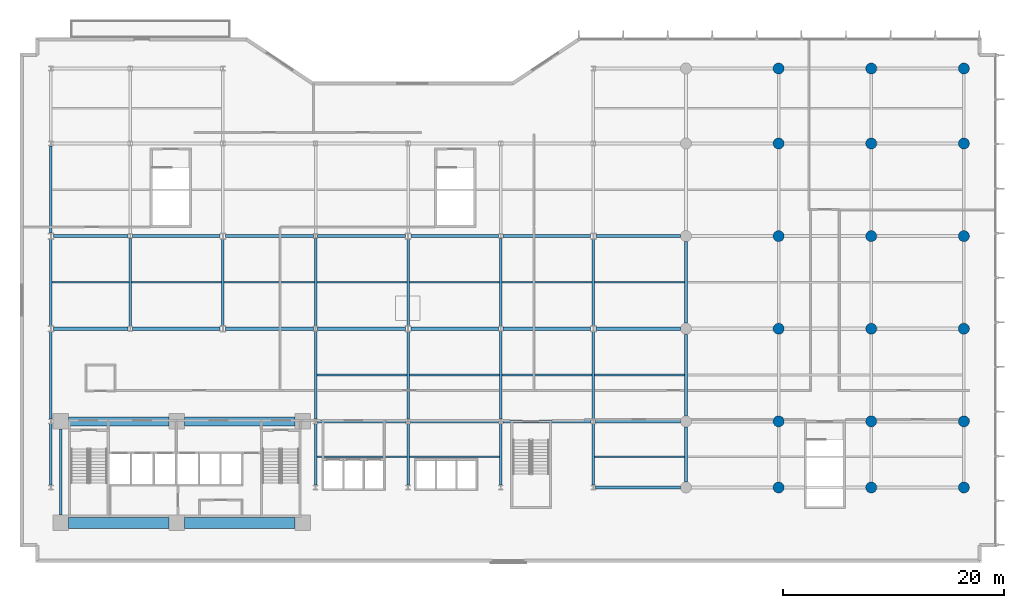
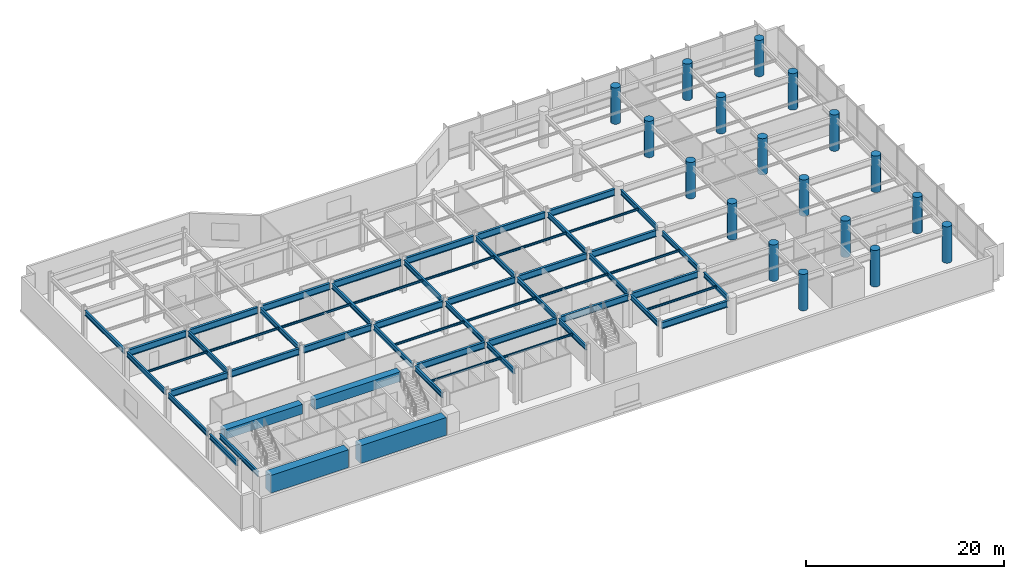
# One storey, part 3 of 23: 59 beams, 18 columns.
"""IFC4 building model written with IfcOpenShell, lengths in metres."""

from ifc_helpers import new_model, si_unit, direction, frame, origin, origin_2d, place, context, subcontext, project, spatial, rectangle, circle, i_section, extrude, material, material_profile, profile_set, type_object, element, save


model = new_model("IFC4")

# Units and contexts
model_context = context("Model", 3, precision=1e-05, world=origin(), true_north=direction((0.0, 1.0)))
body_context = subcontext(model_context, "Body", "Model", "MODEL_VIEW")
ifc_project = project(units=[si_unit("LENGTHUNIT", "METRE"), si_unit("AREAUNIT", "SQUARE_METRE"), si_unit("VOLUMEUNIT", "CUBIC_METRE"), si_unit("PLANEANGLEUNIT", "RADIAN"), si_unit("MASSUNIT", "GRAM", prefix="KILO")], contexts=[model_context])

# Site, building, storey
site_placement = place(None, origin())
site = spatial("IfcSite", under=ifc_project, at=site_placement, CompositionType="ELEMENT")
building_placement = place(site_placement, origin())
building = spatial("IfcBuilding", under=site, at=building_placement, Name="Varnakote Quay Hospital", CompositionType="ELEMENT")
storey_placement = place(building_placement, frame((0.0, 0.0, 18.0)))
storey = spatial("IfcBuildingStorey", under=building, at=storey_placement, Name="L04", CompositionType="ELEMENT", Elevation=18.0)

# Columns
ifc_material_1 = material(Name="Concrete N65 (f'c 65 MPa)", Category="concrete")
ifc_material_profile_1 = material_profile(ifc_material_1, circle(Radius=0.5, at=origin_2d()), Name="RC-COL-D1000")
ifc_profile_set_1 = profile_set([ifc_material_profile_1], Name="Concrete N65 (f'c 65 MPa)")
column_type = type_object("IfcColumnType", Name="COL-RC-D1000", PredefinedType="COLUMN", material=ifc_profile_set_1)
for number, where, z_axis, x_axis, name in (
    (1, (67.199951171875, 6.0, 0.0), (0.0, 0.0, 1.0), (1.0, 0.0, 0.0), "L04 Structural Column C-67-6"),
    (2, (75.60009765625, 6.0, 0.0), (0.0, 0.0, 1.0), (1.0, 0.0, 0.0), "L04 Structural Column C-76-6"),
    (3, (84.0, 6.0, 0.0), (0.0, 0.0, 1.0), (1.0, 0.0, 0.0), "L04 Structural Column C-84-6"),
    (4, (67.199951171875, 12.0, 0.0), (0.0, 0.0, 1.0), (1.0, 0.0, 0.0), "L04 Structural Column C-67-12"),
    (5, (75.60009765625, 12.0, 0.0), (0.0, 0.0, 1.0), (1.0, 0.0, 0.0), "L04 Structural Column C-76-12"),
    (6, (84.0, 12.0, 0.0), (0.0, 0.0, 1.0), (1.0, 0.0, 0.0), "L04 Structural Column C-84-12"),
    (7, (67.199951171875, 20.39990234375, 0.0), (0.0, 0.0, 1.0), (1.0, 0.0, 0.0), "L04 Structural Column C-67-20"),
    (8, (75.60009765625, 20.39990234375, 0.0), (0.0, 0.0, 1.0), (1.0, 0.0, 0.0), "L04 Structural Column C-76-20"),
    (9, (84.0, 20.39990234375, 0.0), (0.0, 0.0, 1.0), (1.0, 0.0, 0.0), "L04 Structural Column C-84-20"),
    (10, (67.199951171875, 28.800048828125, 0.0), (0.0, 0.0, 1.0), (1.0, 0.0, 0.0), "L04 Structural Column C-67-29"),
    (11, (75.60009765625, 28.800048828125, 0.0), (0.0, 0.0, 1.0), (1.0, 0.0, 0.0), "L04 Structural Column C-76-29"),
    (12, (84.0, 28.800048828125, 0.0), (0.0, 0.0, 1.0), (1.0, 0.0, 0.0), "L04 Structural Column C-84-29"),
    (13, (67.199951171875, 37.199951171875, 0.0), (0.0, 0.0, 1.0), (1.0, 0.0, 0.0), "L04 Structural Column C-67-37"),
    (14, (75.60009765625, 37.199951171875, 0.0), (0.0, 0.0, 1.0), (1.0, 0.0, 0.0), "L04 Structural Column C-76-37"),
    (15, (84.0, 37.199951171875, 0.0), (0.0, 0.0, 1.0), (1.0, 0.0, 0.0), "L04 Structural Column C-84-37"),
    (16, (67.199951171875, 44.0, 0.0), (0.0, 0.0, 1.0), (1.0, 0.0, 0.0), "L04 Structural Column C-67-44"),
    (17, (75.60009765625, 44.0, 0.0), (0.0, 0.0, 1.0), (1.0, 0.0, 0.0), "L04 Structural Column C-76-44"),
    (18, (84.0, 44.0, 0.0), (0.0, 0.0, 1.0), (1.0, 0.0, 0.0), "L04 Structural Column C-84-44"),
):
    element("IfcColumn", number, at=place(storey_placement, frame(where, z_axis=z_axis, x_axis=x_axis)), inside=storey, type_object=column_type, Name=name, PredefinedType="COLUMN", context=body_context, shape_type="SweptSolid", body=[
        extrude(circle(Radius=0.5, at=origin_2d()), origin(), (0.0, 0.0, 1.0), 4.5),
    ])

# Beams
ifc_material_2 = material(Name="Concrete N80 (f'c 80 MPa)", Category="concrete")
ifc_material_profile_2 = material_profile(ifc_material_2, rectangle(XDim=0.800048828125, YDim=1.199951171875, at=origin_2d()), Name="RC-BM-800x1200")
ifc_profile_set_2 = profile_set([ifc_material_profile_2], Name="Concrete N80 (f'c 80 MPa)")
beam_type_1 = type_object("IfcBeamType", Name="BM-RC-800x1200", PredefinedType="BEAM", material=ifc_profile_set_2)
beam_1_placement = place(storey_placement, frame((2.800048828125, 12.0, 3.47998046875), z_axis=(1.0, 0.0, 0.0), x_axis=(0.0, 1.0, 0.0)))
element("IfcBeam", 19, at=beam_1_placement, inside=storey, type_object=beam_type_1, Name="Core Coupling Transfer Girder CTG", PredefinedType="BEAM", context=body_context, shape_type="SweptSolid", body=[
    extrude(rectangle(XDim=0.800048828125, YDim=1.199951171875, at=origin_2d()), origin(), (0.0, 0.0, 1.0), 9.119873046875),
])
beam_2_placement = place(storey_placement, frame((13.320068359375, 12.0, 3.47998046875), z_axis=(1.0, 0.0, 0.0), x_axis=(0.0, 1.0, 0.0)))
element("IfcBeam", 20, at=beam_2_placement, inside=storey, type_object=beam_type_1, Name="Core Coupling Transfer Girder CTG", PredefinedType="BEAM", context=body_context, shape_type="SweptSolid", body=[
    extrude(rectangle(XDim=0.800048828125, YDim=1.199951171875, at=origin_2d()), origin(), (0.0, 0.0, 1.0), 10.030029296875),
])
ifc_material_3 = material(Name="Concrete N65 (f'c 65 MPa)", Category="concrete")
ifc_material_profile_3 = material_profile(ifc_material_3, rectangle(XDim=1.0, YDim=2.199951171875, at=origin_2d()), Name="RC-BM-1000x2200")
ifc_profile_set_3 = profile_set([ifc_material_profile_3], Name="Concrete N65 (f'c 65 MPa)")
beam_type_2 = type_object("IfcBeamType", Name="BM-RC-XFER-1000x2200", PredefinedType="BEAM", material=ifc_profile_set_3)
beam_3_placement = place(storey_placement, frame((2.800048828125, 2.800048828125, 2.97998046875), z_axis=(1.0, 0.0, 0.0), x_axis=(0.0, 1.0, 0.0)))
element("IfcBeam", 21, at=beam_3_placement, inside=storey, type_object=beam_type_2, Name="Core Coupling Transfer Girder CTG2", PredefinedType="BEAM", context=body_context, shape_type="SweptSolid", body=[
    extrude(rectangle(XDim=1.0, YDim=2.199951171875, at=origin_2d()), origin(), (0.0, 0.0, 1.0), 9.119873046875),
])
beam_4_placement = place(storey_placement, frame((13.320068359375, 2.800048828125, 2.97998046875), z_axis=(1.0, 0.0, 0.0), x_axis=(0.0, 1.0, 0.0)))
element("IfcBeam", 22, at=beam_4_placement, inside=storey, type_object=beam_type_2, Name="Core Coupling Transfer Girder CTG2", PredefinedType="BEAM", context=body_context, shape_type="SweptSolid", body=[
    extrude(rectangle(XDim=1.0, YDim=2.199951171875, at=origin_2d()), origin(), (0.0, 0.0, 1.0), 10.030029296875),
])
ifc_material_4 = material(Name="Structural steel AS/NZS 3679.1 Grade 350 L0 (fy 340 MPa)", Category="steel")
ifc_material_profile_4 = material_profile(ifc_material_4, i_section(OverallWidth=0.22802734375, OverallDepth=0.60205078125, WebThickness=0.010498046875, FlangeThickness=0.014892578125, FilletRadius=0.013916015625, at=origin_2d()), Name="610UB101")
ifc_profile_set_4 = profile_set([ifc_material_profile_4], Name="Structural steel AS/NZS 3679.1 Grade 350 L0 (fy 340 MPa)")
beam_type_3 = type_object("IfcBeamType", Name="BM-STL-610UB101", PredefinedType="BEAM", material=ifc_profile_set_4)
beam_5_placement = place(storey_placement, frame((1.199951171875, 6.2099609375, 3.779052734375), z_axis=(0.0, 1.0, 0.0), x_axis=(-1.0, 0.0, 0.0)))
element("IfcBeam", 23, at=beam_5_placement, inside=storey, type_object=beam_type_3, Name="L04 Primary Tie Beam", PredefinedType="BEAM", context=body_context, shape_type="SweptSolid", body=[
    extrude(i_section(OverallWidth=0.22802734375, OverallDepth=0.60205078125, WebThickness=0.010498046875, FlangeThickness=0.014892578125, FilletRadius=0.013916015625, at=origin_2d()), origin(), (0.0, 0.0, 1.0), 5.580078125),
])
beam_6_placement = place(storey_placement, frame((1.199951171875, 12.2099609375, 3.779052734375), z_axis=(0.0, 1.0, 0.0), x_axis=(-1.0, 0.0, 0.0)))
element("IfcBeam", 24, at=beam_6_placement, inside=storey, type_object=beam_type_3, Name="L04 Primary Tie Beam", PredefinedType="BEAM", context=body_context, shape_type="SweptSolid", body=[
    extrude(i_section(OverallWidth=0.22802734375, OverallDepth=0.60205078125, WebThickness=0.010498046875, FlangeThickness=0.014892578125, FilletRadius=0.013916015625, at=origin_2d()), origin(), (0.0, 0.0, 1.0), 7.925048828125),
])
beam_7_placement = place(storey_placement, frame((1.199951171875, 20.6650390625, 3.779052734375), z_axis=(0.0, 1.0, 0.0), x_axis=(-1.0, 0.0, 0.0)))
element("IfcBeam", 25, at=beam_7_placement, inside=storey, type_object=beam_type_3, Name="L04 Primary Tie Beam", PredefinedType="BEAM", context=body_context, shape_type="SweptSolid", body=[
    extrude(i_section(OverallWidth=0.22802734375, OverallDepth=0.60205078125, WebThickness=0.010498046875, FlangeThickness=0.014892578125, FilletRadius=0.013916015625, at=origin_2d()), origin(), (0.0, 0.0, 1.0), 7.869873046875),
])
beam_8_placement = place(storey_placement, frame((1.199951171875, 29.06494140625, 3.779052734375), z_axis=(0.0, 1.0, 0.0), x_axis=(-1.0, 0.0, 0.0)))
element("IfcBeam", 26, at=beam_8_placement, inside=storey, type_object=beam_type_3, Name="L04 Primary Tie Beam", PredefinedType="BEAM", context=body_context, shape_type="SweptSolid", body=[
    extrude(i_section(OverallWidth=0.22802734375, OverallDepth=0.60205078125, WebThickness=0.010498046875, FlangeThickness=0.014892578125, FilletRadius=0.013916015625, at=origin_2d()), origin(), (0.0, 0.0, 1.0), 7.925048828125),
])
beam_9_placement = place(storey_placement, frame((2.10009765625, 3.5, 3.779052734375), z_axis=(0.0, 1.0, 0.0), x_axis=(-1.0, 0.0, 0.0)))
element("IfcBeam", 27, at=beam_9_placement, inside=storey, type_object=beam_type_3, Name="L04 Primary Tie Beam", PredefinedType="BEAM", context=body_context, shape_type="SweptSolid", body=[
    extrude(i_section(OverallWidth=0.22802734375, OverallDepth=0.60205078125, WebThickness=0.010498046875, FlangeThickness=0.014892578125, FilletRadius=0.013916015625, at=origin_2d()), origin(), (0.0, 0.0, 1.0), 7.800048828125),
])
beam_10_placement = place(storey_placement, frame((8.39990234375, 20.610107421875, 3.779052734375), z_axis=(0.0, 1.0, 0.0), x_axis=(-1.0, 0.0, 0.0)))
element("IfcBeam", 28, at=beam_10_placement, inside=storey, type_object=beam_type_3, Name="L04 Primary Tie Beam", PredefinedType="BEAM", context=body_context, shape_type="SweptSolid", body=[
    extrude(i_section(OverallWidth=0.22802734375, OverallDepth=0.60205078125, WebThickness=0.010498046875, FlangeThickness=0.014892578125, FilletRadius=0.013916015625, at=origin_2d()), origin(), (0.0, 0.0, 1.0), 7.97998046875),
])
beam_11_placement = place(storey_placement, frame((16.800048828125, 20.6650390625, 3.779052734375), z_axis=(0.0, 1.0, 0.0), x_axis=(-1.0, 0.0, 0.0)))
element("IfcBeam", 29, at=beam_11_placement, inside=storey, type_object=beam_type_3, Name="L04 Primary Tie Beam", PredefinedType="BEAM", context=body_context, shape_type="SweptSolid", body=[
    extrude(i_section(OverallWidth=0.22802734375, OverallDepth=0.60205078125, WebThickness=0.010498046875, FlangeThickness=0.014892578125, FilletRadius=0.013916015625, at=origin_2d()), origin(), (0.0, 0.0, 1.0), 7.869873046875),
])
beam_12_placement = place(storey_placement, frame((25.199951171875, 6.2099609375, 3.779052734375), z_axis=(0.0, 1.0, 0.0), x_axis=(-1.0, 0.0, 0.0)))
element("IfcBeam", 30, at=beam_12_placement, inside=storey, type_object=beam_type_3, Name="L04 Primary Tie Beam", PredefinedType="BEAM", context=body_context, shape_type="SweptSolid", body=[
    extrude(i_section(OverallWidth=0.22802734375, OverallDepth=0.60205078125, WebThickness=0.010498046875, FlangeThickness=0.014892578125, FilletRadius=0.013916015625, at=origin_2d()), origin(), (0.0, 0.0, 1.0), 5.580078125),
])
for number, where, z_axis, x_axis, name in (
    (31, (25.199951171875, 12.2099609375, 3.779052734375), (0.0, 1.0, 0.0), (-1.0, 0.0, 0.0), "L04 Primary Tie Beam"),
    (32, (25.199951171875, 20.610107421875, 3.779052734375), (0.0, 1.0, 0.0), (-1.0, 0.0, 0.0), "L04 Primary Tie Beam"),
):
    element("IfcBeam", number, at=place(storey_placement, frame(where, z_axis=z_axis, x_axis=x_axis)), inside=storey, type_object=beam_type_3, Name=name, PredefinedType="BEAM", context=body_context, shape_type="SweptSolid", body=[
        extrude(i_section(OverallWidth=0.22802734375, OverallDepth=0.60205078125, WebThickness=0.010498046875, FlangeThickness=0.014892578125, FilletRadius=0.013916015625, at=origin_2d()), origin(), (0.0, 0.0, 1.0), 7.97998046875),
    ])
beam_13_placement = place(storey_placement, frame((33.60009765625, 6.2099609375, 3.779052734375), z_axis=(0.0, 1.0, 0.0), x_axis=(-1.0, 0.0, 0.0)))
element("IfcBeam", 33, at=beam_13_placement, inside=storey, type_object=beam_type_3, Name="L04 Primary Tie Beam", PredefinedType="BEAM", context=body_context, shape_type="SweptSolid", body=[
    extrude(i_section(OverallWidth=0.22802734375, OverallDepth=0.60205078125, WebThickness=0.010498046875, FlangeThickness=0.014892578125, FilletRadius=0.013916015625, at=origin_2d()), origin(), (0.0, 0.0, 1.0), 5.580078125),
])
beam_14_placement = place(storey_placement, frame((33.60009765625, 12.2099609375, 3.779052734375), z_axis=(0.0, 1.0, 0.0), x_axis=(-1.0, 0.0, 0.0)))
element("IfcBeam", 34, at=beam_14_placement, inside=storey, type_object=beam_type_3, Name="L04 Primary Tie Beam", PredefinedType="BEAM", context=body_context, shape_type="SweptSolid", body=[
    extrude(i_section(OverallWidth=0.22802734375, OverallDepth=0.60205078125, WebThickness=0.010498046875, FlangeThickness=0.014892578125, FilletRadius=0.013916015625, at=origin_2d()), origin(), (0.0, 0.0, 1.0), 7.925048828125),
])
beam_15_placement = place(storey_placement, frame((33.60009765625, 20.6650390625, 3.779052734375), z_axis=(0.0, 1.0, 0.0), x_axis=(-1.0, 0.0, 0.0)))
element("IfcBeam", 35, at=beam_15_placement, inside=storey, type_object=beam_type_3, Name="L04 Primary Tie Beam", PredefinedType="BEAM", context=body_context, shape_type="SweptSolid", body=[
    extrude(i_section(OverallWidth=0.22802734375, OverallDepth=0.60205078125, WebThickness=0.010498046875, FlangeThickness=0.014892578125, FilletRadius=0.013916015625, at=origin_2d()), origin(), (0.0, 0.0, 1.0), 7.869873046875),
])
beam_16_placement = place(storey_placement, frame((42.0, 6.2099609375, 3.779052734375), z_axis=(0.0, 1.0, 0.0), x_axis=(-1.0, 0.0, 0.0)))
element("IfcBeam", 36, at=beam_16_placement, inside=storey, type_object=beam_type_3, Name="L04 Primary Tie Beam", PredefinedType="BEAM", context=body_context, shape_type="SweptSolid", body=[
    extrude(i_section(OverallWidth=0.22802734375, OverallDepth=0.60205078125, WebThickness=0.010498046875, FlangeThickness=0.014892578125, FilletRadius=0.013916015625, at=origin_2d()), origin(), (0.0, 0.0, 1.0), 5.580078125),
])
for number, where, z_axis, x_axis, name in (
    (37, (42.0, 12.2099609375, 3.779052734375), (0.0, 1.0, 0.0), (-1.0, 0.0, 0.0), "L04 Primary Tie Beam"),
    (38, (42.0, 20.610107421875, 3.779052734375), (0.0, 1.0, 0.0), (-1.0, 0.0, 0.0), "L04 Primary Tie Beam"),
):
    element("IfcBeam", number, at=place(storey_placement, frame(where, z_axis=z_axis, x_axis=x_axis)), inside=storey, type_object=beam_type_3, Name=name, PredefinedType="BEAM", context=body_context, shape_type="SweptSolid", body=[
        extrude(i_section(OverallWidth=0.22802734375, OverallDepth=0.60205078125, WebThickness=0.010498046875, FlangeThickness=0.014892578125, FilletRadius=0.013916015625, at=origin_2d()), origin(), (0.0, 0.0, 1.0), 7.97998046875),
    ])
beam_17_placement = place(storey_placement, frame((50.39990234375, 6.2099609375, 3.779052734375), z_axis=(0.0, 1.0, 0.0), x_axis=(-1.0, 0.0, 0.0)))
element("IfcBeam", 39, at=beam_17_placement, inside=storey, type_object=beam_type_3, Name="L04 Primary Tie Beam", PredefinedType="BEAM", context=body_context, shape_type="SweptSolid", body=[
    extrude(i_section(OverallWidth=0.22802734375, OverallDepth=0.60205078125, WebThickness=0.010498046875, FlangeThickness=0.014892578125, FilletRadius=0.013916015625, at=origin_2d()), origin(), (0.0, 0.0, 1.0), 5.580078125),
])
beam_18_placement = place(storey_placement, frame((50.39990234375, 12.2099609375, 3.779052734375), z_axis=(0.0, 1.0, 0.0), x_axis=(-1.0, 0.0, 0.0)))
element("IfcBeam", 40, at=beam_18_placement, inside=storey, type_object=beam_type_3, Name="L04 Primary Tie Beam", PredefinedType="BEAM", context=body_context, shape_type="SweptSolid", body=[
    extrude(i_section(OverallWidth=0.22802734375, OverallDepth=0.60205078125, WebThickness=0.010498046875, FlangeThickness=0.014892578125, FilletRadius=0.013916015625, at=origin_2d()), origin(), (0.0, 0.0, 1.0), 7.925048828125),
])
beam_19_placement = place(storey_placement, frame((50.39990234375, 20.6650390625, 3.779052734375), z_axis=(0.0, 1.0, 0.0), x_axis=(-1.0, 0.0, 0.0)))
element("IfcBeam", 41, at=beam_19_placement, inside=storey, type_object=beam_type_3, Name="L04 Primary Tie Beam", PredefinedType="BEAM", context=body_context, shape_type="SweptSolid", body=[
    extrude(i_section(OverallWidth=0.22802734375, OverallDepth=0.60205078125, WebThickness=0.010498046875, FlangeThickness=0.014892578125, FilletRadius=0.013916015625, at=origin_2d()), origin(), (0.0, 0.0, 1.0), 7.869873046875),
])
beam_20_placement = place(storey_placement, frame((58.800048828125, 6.5, 3.779052734375), z_axis=(0.0, 1.0, 0.0), x_axis=(-1.0, 0.0, 0.0)))
element("IfcBeam", 42, at=beam_20_placement, inside=storey, type_object=beam_type_3, Name="L04 Primary Tie Beam", PredefinedType="BEAM", context=body_context, shape_type="SweptSolid", body=[
    extrude(i_section(OverallWidth=0.22802734375, OverallDepth=0.60205078125, WebThickness=0.010498046875, FlangeThickness=0.014892578125, FilletRadius=0.013916015625, at=origin_2d()), origin(), (0.0, 0.0, 1.0), 5.0),
])
beam_21_placement = place(storey_placement, frame((58.800048828125, 12.5, 3.779052734375), z_axis=(0.0, 1.0, 0.0), x_axis=(-1.0, 0.0, 0.0)))
element("IfcBeam", 43, at=beam_21_placement, inside=storey, type_object=beam_type_3, Name="L04 Primary Tie Beam", PredefinedType="BEAM", context=body_context, shape_type="SweptSolid", body=[
    extrude(i_section(OverallWidth=0.22802734375, OverallDepth=0.60205078125, WebThickness=0.010498046875, FlangeThickness=0.014892578125, FilletRadius=0.013916015625, at=origin_2d()), origin(), (0.0, 0.0, 1.0), 7.39990234375),
])
beam_22_placement = place(storey_placement, frame((58.800048828125, 20.89990234375, 3.779052734375), z_axis=(0.0, 1.0, 0.0), x_axis=(-1.0, 0.0, 0.0)))
element("IfcBeam", 44, at=beam_22_placement, inside=storey, type_object=beam_type_3, Name="L04 Primary Tie Beam", PredefinedType="BEAM", context=body_context, shape_type="SweptSolid", body=[
    extrude(i_section(OverallWidth=0.22802734375, OverallDepth=0.60205078125, WebThickness=0.010498046875, FlangeThickness=0.014892578125, FilletRadius=0.013916015625, at=origin_2d()), origin(), (0.0, 0.0, 1.0), 7.400146484375),
])
ifc_material_5 = material(Name="Structural steel AS/NZS 3678 Grade 350 (fy 340 MPa)", Category="steel")
ifc_material_profile_5 = material_profile(ifc_material_5, i_section(OverallWidth=0.27490234375, OverallDepth=0.800048828125, WebThickness=0.010009765625, FlangeThickness=0.02001953125, at=origin_2d()), Name="800WB146")
ifc_profile_set_5 = profile_set([ifc_material_profile_5], Name="Structural steel AS/NZS 3678 Grade 350 (fy 340 MPa)")
beam_type_4 = type_object("IfcBeamType", Name="BM-STL-800WB146", PredefinedType="BEAM", material=ifc_profile_set_5)
beam_23_placement = place(storey_placement, frame((50.60009765625, 6.0, 3.679931640625), z_axis=(1.0, 0.0, 0.0), x_axis=(0.0, 1.0, 0.0)))
element("IfcBeam", 45, at=beam_23_placement, inside=storey, type_object=beam_type_4, Name="L04 Plated Composite Transfer Beam", PredefinedType="BEAM", context=body_context, shape_type="SweptSolid", body=[
    extrude(i_section(OverallWidth=0.27490234375, OverallDepth=0.800048828125, WebThickness=0.010009765625, FlangeThickness=0.02001953125, at=origin_2d()), origin(), (0.0, 0.0, 1.0), 7.699951171875),
])
for number, where, z_axis, x_axis, name in (
    (46, (25.39990234375, 12.0, 3.679931640625), (1.0, 0.0, 0.0), (0.0, 1.0, 0.0), "L04 Plated Composite Transfer Beam"),
    (47, (33.800048828125, 12.0, 3.679931640625), (1.0, 0.0, 0.0), (0.0, 1.0, 0.0), "L04 Plated Composite Transfer Beam"),
    (48, (42.199951171875, 12.0, 3.679931640625), (1.0, 0.0, 0.0), (0.0, 1.0, 0.0), "L04 Plated Composite Transfer Beam"),
):
    element("IfcBeam", number, at=place(storey_placement, frame(where, z_axis=z_axis, x_axis=x_axis)), inside=storey, type_object=beam_type_4, Name=name, PredefinedType="BEAM", context=body_context, shape_type="SweptSolid", body=[
        extrude(i_section(OverallWidth=0.27490234375, OverallDepth=0.800048828125, WebThickness=0.010009765625, FlangeThickness=0.02001953125, at=origin_2d()), origin(), (0.0, 0.0, 1.0), 8.0),
    ])
beam_24_placement = place(storey_placement, frame((50.60009765625, 12.0, 3.679931640625), z_axis=(1.0, 0.0, 0.0), x_axis=(0.0, 1.0, 0.0)))
element("IfcBeam", 49, at=beam_24_placement, inside=storey, type_object=beam_type_4, Name="L04 Plated Composite Transfer Beam", PredefinedType="BEAM", context=body_context, shape_type="SweptSolid", body=[
    extrude(i_section(OverallWidth=0.27490234375, OverallDepth=0.800048828125, WebThickness=0.010009765625, FlangeThickness=0.02001953125, at=origin_2d()), origin(), (0.0, 0.0, 1.0), 7.699951171875),
])
beam_25_placement = place(storey_placement, frame((1.449951171875, 20.39990234375, 3.679931640625), z_axis=(1.0, 0.0, 0.0), x_axis=(0.0, 1.0, 0.0)))
element("IfcBeam", 50, at=beam_25_placement, inside=storey, type_object=beam_type_4, Name="L04 Plated Composite Transfer Beam", PredefinedType="BEAM", context=body_context, shape_type="SweptSolid", body=[
    extrude(i_section(OverallWidth=0.27490234375, OverallDepth=0.800048828125, WebThickness=0.010009765625, FlangeThickness=0.02001953125, at=origin_2d()), origin(), (0.0, 0.0, 1.0), 6.75),
])
for number, where, z_axis, x_axis, name in (
    (51, (8.60009765625, 20.39990234375, 3.679931640625), (1.0, 0.0, 0.0), (0.0, 1.0, 0.0), "L04 Plated Composite Transfer Beam"),
    (52, (17.050048828125, 20.39990234375, 3.679931640625), (1.0, 0.0, 0.0), (0.0, 1.0, 0.0), "L04 Plated Composite Transfer Beam"),
):
    element("IfcBeam", number, at=place(storey_placement, frame(where, z_axis=z_axis, x_axis=x_axis)), inside=storey, type_object=beam_type_4, Name=name, PredefinedType="BEAM", context=body_context, shape_type="SweptSolid", body=[
        extrude(i_section(OverallWidth=0.27490234375, OverallDepth=0.800048828125, WebThickness=0.010009765625, FlangeThickness=0.02001953125, at=origin_2d()), origin(), (0.0, 0.0, 1.0), 7.949951171875),
    ])
beam_26_placement = place(storey_placement, frame((25.39990234375, 20.39990234375, 3.679931640625), z_axis=(1.0, 0.0, 0.0), x_axis=(0.0, 1.0, 0.0)))
element("IfcBeam", 53, at=beam_26_placement, inside=storey, type_object=beam_type_4, Name="L04 Plated Composite Transfer Beam", PredefinedType="BEAM", context=body_context, shape_type="SweptSolid", body=[
    extrude(i_section(OverallWidth=0.27490234375, OverallDepth=0.800048828125, WebThickness=0.010009765625, FlangeThickness=0.02001953125, at=origin_2d()), origin(), (0.0, 0.0, 1.0), 7.9501953125),
])
for number, where, z_axis, x_axis, name in (
    (54, (33.85009765625, 20.39990234375, 3.679931640625), (1.0, 0.0, 0.0), (0.0, 1.0, 0.0), "L04 Plated Composite Transfer Beam"),
    (55, (42.199951171875, 20.39990234375, 3.679931640625), (1.0, 0.0, 0.0), (0.0, 1.0, 0.0), "L04 Plated Composite Transfer Beam"),
):
    element("IfcBeam", number, at=place(storey_placement, frame(where, z_axis=z_axis, x_axis=x_axis)), inside=storey, type_object=beam_type_4, Name=name, PredefinedType="BEAM", context=body_context, shape_type="SweptSolid", body=[
        extrude(i_section(OverallWidth=0.27490234375, OverallDepth=0.800048828125, WebThickness=0.010009765625, FlangeThickness=0.02001953125, at=origin_2d()), origin(), (0.0, 0.0, 1.0), 7.949951171875),
    ])
beam_27_placement = place(storey_placement, frame((50.64990234375, 20.39990234375, 3.679931640625), z_axis=(1.0, 0.0, 0.0), x_axis=(0.0, 1.0, 0.0)))
element("IfcBeam", 56, at=beam_27_placement, inside=storey, type_object=beam_type_4, Name="L04 Plated Composite Transfer Beam", PredefinedType="BEAM", context=body_context, shape_type="SweptSolid", body=[
    extrude(i_section(OverallWidth=0.27490234375, OverallDepth=0.800048828125, WebThickness=0.010009765625, FlangeThickness=0.02001953125, at=origin_2d()), origin(), (0.0, 0.0, 1.0), 7.650146484375),
])
beam_28_placement = place(storey_placement, frame((1.449951171875, 28.800048828125, 3.679931640625), z_axis=(1.0, 0.0, 0.0), x_axis=(0.0, 1.0, 0.0)))
element("IfcBeam", 57, at=beam_28_placement, inside=storey, type_object=beam_type_4, Name="L04 Plated Composite Transfer Beam", PredefinedType="BEAM", context=body_context, shape_type="SweptSolid", body=[
    extrude(i_section(OverallWidth=0.27490234375, OverallDepth=0.800048828125, WebThickness=0.010009765625, FlangeThickness=0.02001953125, at=origin_2d()), origin(), (0.0, 0.0, 1.0), 6.75),
])
for number, where, z_axis, x_axis, name in (
    (58, (8.60009765625, 28.800048828125, 3.679931640625), (1.0, 0.0, 0.0), (0.0, 1.0, 0.0), "L04 Plated Composite Transfer Beam"),
    (59, (17.050048828125, 28.800048828125, 3.679931640625), (1.0, 0.0, 0.0), (0.0, 1.0, 0.0), "L04 Plated Composite Transfer Beam"),
):
    element("IfcBeam", number, at=place(storey_placement, frame(where, z_axis=z_axis, x_axis=x_axis)), inside=storey, type_object=beam_type_4, Name=name, PredefinedType="BEAM", context=body_context, shape_type="SweptSolid", body=[
        extrude(i_section(OverallWidth=0.27490234375, OverallDepth=0.800048828125, WebThickness=0.010009765625, FlangeThickness=0.02001953125, at=origin_2d()), origin(), (0.0, 0.0, 1.0), 7.949951171875),
    ])
beam_29_placement = place(storey_placement, frame((25.39990234375, 28.800048828125, 3.679931640625), z_axis=(1.0, 0.0, 0.0), x_axis=(0.0, 1.0, 0.0)))
element("IfcBeam", 60, at=beam_29_placement, inside=storey, type_object=beam_type_4, Name="L04 Plated Composite Transfer Beam", PredefinedType="BEAM", context=body_context, shape_type="SweptSolid", body=[
    extrude(i_section(OverallWidth=0.27490234375, OverallDepth=0.800048828125, WebThickness=0.010009765625, FlangeThickness=0.02001953125, at=origin_2d()), origin(), (0.0, 0.0, 1.0), 7.9501953125),
])
for number, where, z_axis, x_axis, name in (
    (61, (33.85009765625, 28.800048828125, 3.679931640625), (1.0, 0.0, 0.0), (0.0, 1.0, 0.0), "L04 Plated Composite Transfer Beam"),
    (62, (42.199951171875, 28.800048828125, 3.679931640625), (1.0, 0.0, 0.0), (0.0, 1.0, 0.0), "L04 Plated Composite Transfer Beam"),
):
    element("IfcBeam", number, at=place(storey_placement, frame(where, z_axis=z_axis, x_axis=x_axis)), inside=storey, type_object=beam_type_4, Name=name, PredefinedType="BEAM", context=body_context, shape_type="SweptSolid", body=[
        extrude(i_section(OverallWidth=0.27490234375, OverallDepth=0.800048828125, WebThickness=0.010009765625, FlangeThickness=0.02001953125, at=origin_2d()), origin(), (0.0, 0.0, 1.0), 7.949951171875),
    ])
beam_30_placement = place(storey_placement, frame((50.64990234375, 28.800048828125, 3.679931640625), z_axis=(1.0, 0.0, 0.0), x_axis=(0.0, 1.0, 0.0)))
element("IfcBeam", 63, at=beam_30_placement, inside=storey, type_object=beam_type_4, Name="L04 Plated Composite Transfer Beam", PredefinedType="BEAM", context=body_context, shape_type="SweptSolid", body=[
    extrude(i_section(OverallWidth=0.27490234375, OverallDepth=0.800048828125, WebThickness=0.010009765625, FlangeThickness=0.02001953125, at=origin_2d()), origin(), (0.0, 0.0, 1.0), 7.650146484375),
])
ifc_material_6 = material(Name="Structural steel AS/NZS 3679.1 Grade 350 L0 (fy 340 MPa)", Category="steel")
ifc_material_profile_6 = material_profile(ifc_material_6, i_section(OverallWidth=0.14599609375, OverallDepth=0.256103515625, WebThickness=0.00634765625, FlangeThickness=0.010986328125, FilletRadius=0.0087890625, at=origin_2d()), Name="250UB37.3")
ifc_profile_set_6 = profile_set([ifc_material_profile_6], Name="Structural steel AS/NZS 3679.1 Grade 350 L0 (fy 340 MPa)")
beam_type_5 = type_object("IfcBeamType", Name="JST-STL-250UB37-3", PredefinedType="JOIST", material=ifc_profile_set_6)
beam_31_placement = place(storey_placement, frame((25.31396484375, 8.800048828125, 3.951904296875), z_axis=(1.0, 0.0, 0.0), x_axis=(0.0, 1.0, 0.0)))
element("IfcBeam", 64, at=beam_31_placement, inside=storey, type_object=beam_type_5, Name="L04 Composite Floor Joist", PredefinedType="JOIST", context=body_context, shape_type="SweptSolid", body=[
    extrude(i_section(OverallWidth=0.14599609375, OverallDepth=0.256103515625, WebThickness=0.00634765625, FlangeThickness=0.010986328125, FilletRadius=0.0087890625, at=origin_2d()), origin(), (0.0, 0.0, 1.0), 8.172119140625),
])
beam_32_placement = place(storey_placement, frame((33.714111328125, 8.800048828125, 3.951904296875), z_axis=(1.0, 0.0, 0.0), x_axis=(0.0, 1.0, 0.0)))
element("IfcBeam", 65, at=beam_32_placement, inside=storey, type_object=beam_type_5, Name="L04 Composite Floor Joist", PredefinedType="JOIST", context=body_context, shape_type="SweptSolid", body=[
    extrude(i_section(OverallWidth=0.14599609375, OverallDepth=0.256103515625, WebThickness=0.00634765625, FlangeThickness=0.010986328125, FilletRadius=0.0087890625, at=origin_2d()), origin(), (0.0, 0.0, 1.0), 8.171875),
])
for number, where, z_axis, x_axis, name in (
    (66, (50.513916015625, 8.800048828125, 3.951904296875), (1.0, 0.0, 0.0), (0.0, 1.0, 0.0), "L04 Composite Floor Joist"),
    (67, (25.31396484375, 16.199951171875, 3.951904296875), (1.0, 0.0, 0.0), (0.0, 1.0, 0.0), "L04 Composite Floor Joist"),
):
    element("IfcBeam", number, at=place(storey_placement, frame(where, z_axis=z_axis, x_axis=x_axis)), inside=storey, type_object=beam_type_5, Name=name, PredefinedType="JOIST", context=body_context, shape_type="SweptSolid", body=[
        extrude(i_section(OverallWidth=0.14599609375, OverallDepth=0.256103515625, WebThickness=0.00634765625, FlangeThickness=0.010986328125, FilletRadius=0.0087890625, at=origin_2d()), origin(), (0.0, 0.0, 1.0), 8.172119140625),
    ])
for number, where, z_axis, x_axis, name in (
    (68, (33.714111328125, 16.199951171875, 3.951904296875), (1.0, 0.0, 0.0), (0.0, 1.0, 0.0), "L04 Composite Floor Joist"),
    (69, (42.114013671875, 16.199951171875, 3.951904296875), (1.0, 0.0, 0.0), (0.0, 1.0, 0.0), "L04 Composite Floor Joist"),
):
    element("IfcBeam", number, at=place(storey_placement, frame(where, z_axis=z_axis, x_axis=x_axis)), inside=storey, type_object=beam_type_5, Name=name, PredefinedType="JOIST", context=body_context, shape_type="SweptSolid", body=[
        extrude(i_section(OverallWidth=0.14599609375, OverallDepth=0.256103515625, WebThickness=0.00634765625, FlangeThickness=0.010986328125, FilletRadius=0.0087890625, at=origin_2d()), origin(), (0.0, 0.0, 1.0), 8.171875),
    ])
beam_33_placement = place(storey_placement, frame((50.513916015625, 16.199951171875, 3.951904296875), z_axis=(1.0, 0.0, 0.0), x_axis=(0.0, 1.0, 0.0)))
element("IfcBeam", 70, at=beam_33_placement, inside=storey, type_object=beam_type_5, Name="L04 Composite Floor Joist", PredefinedType="JOIST", context=body_context, shape_type="SweptSolid", body=[
    extrude(i_section(OverallWidth=0.14599609375, OverallDepth=0.256103515625, WebThickness=0.00634765625, FlangeThickness=0.010986328125, FilletRadius=0.0087890625, at=origin_2d()), origin(), (0.0, 0.0, 1.0), 8.172119140625),
])
beam_34_placement = place(storey_placement, frame((1.31396484375, 24.60009765625, 3.951904296875), z_axis=(1.0, 0.0, 0.0), x_axis=(0.0, 1.0, 0.0)))
element("IfcBeam", 71, at=beam_34_placement, inside=storey, type_object=beam_type_5, Name="L04 Composite Floor Joist", PredefinedType="JOIST", context=body_context, shape_type="SweptSolid", body=[
    extrude(i_section(OverallWidth=0.14599609375, OverallDepth=0.256103515625, WebThickness=0.00634765625, FlangeThickness=0.010986328125, FilletRadius=0.0087890625, at=origin_2d()), origin(), (0.0, 0.0, 1.0), 6.971923828125),
])
beam_35_placement = place(storey_placement, frame((8.513916015625, 24.60009765625, 3.951904296875), z_axis=(1.0, 0.0, 0.0), x_axis=(0.0, 1.0, 0.0)))
element("IfcBeam", 72, at=beam_35_placement, inside=storey, type_object=beam_type_5, Name="L04 Composite Floor Joist", PredefinedType="JOIST", context=body_context, shape_type="SweptSolid", body=[
    extrude(i_section(OverallWidth=0.14599609375, OverallDepth=0.256103515625, WebThickness=0.00634765625, FlangeThickness=0.010986328125, FilletRadius=0.0087890625, at=origin_2d()), origin(), (0.0, 0.0, 1.0), 8.172119140625),
])
beam_36_placement = place(storey_placement, frame((16.9140625, 24.60009765625, 3.951904296875), z_axis=(1.0, 0.0, 0.0), x_axis=(0.0, 1.0, 0.0)))
element("IfcBeam", 73, at=beam_36_placement, inside=storey, type_object=beam_type_5, Name="L04 Composite Floor Joist", PredefinedType="JOIST", context=body_context, shape_type="SweptSolid", body=[
    extrude(i_section(OverallWidth=0.14599609375, OverallDepth=0.256103515625, WebThickness=0.00634765625, FlangeThickness=0.010986328125, FilletRadius=0.0087890625, at=origin_2d()), origin(), (0.0, 0.0, 1.0), 8.171875),
])
beam_37_placement = place(storey_placement, frame((25.31396484375, 24.60009765625, 3.951904296875), z_axis=(1.0, 0.0, 0.0), x_axis=(0.0, 1.0, 0.0)))
element("IfcBeam", 74, at=beam_37_placement, inside=storey, type_object=beam_type_5, Name="L04 Composite Floor Joist", PredefinedType="JOIST", context=body_context, shape_type="SweptSolid", body=[
    extrude(i_section(OverallWidth=0.14599609375, OverallDepth=0.256103515625, WebThickness=0.00634765625, FlangeThickness=0.010986328125, FilletRadius=0.0087890625, at=origin_2d()), origin(), (0.0, 0.0, 1.0), 8.172119140625),
])
for number, where, z_axis, x_axis, name in (
    (75, (33.714111328125, 24.60009765625, 3.951904296875), (1.0, 0.0, 0.0), (0.0, 1.0, 0.0), "L04 Composite Floor Joist"),
    (76, (42.114013671875, 24.60009765625, 3.951904296875), (1.0, 0.0, 0.0), (0.0, 1.0, 0.0), "L04 Composite Floor Joist"),
):
    element("IfcBeam", number, at=place(storey_placement, frame(where, z_axis=z_axis, x_axis=x_axis)), inside=storey, type_object=beam_type_5, Name=name, PredefinedType="JOIST", context=body_context, shape_type="SweptSolid", body=[
        extrude(i_section(OverallWidth=0.14599609375, OverallDepth=0.256103515625, WebThickness=0.00634765625, FlangeThickness=0.010986328125, FilletRadius=0.0087890625, at=origin_2d()), origin(), (0.0, 0.0, 1.0), 8.171875),
    ])
beam_38_placement = place(storey_placement, frame((50.513916015625, 24.60009765625, 3.951904296875), z_axis=(1.0, 0.0, 0.0), x_axis=(0.0, 1.0, 0.0)))
element("IfcBeam", 77, at=beam_38_placement, inside=storey, type_object=beam_type_5, Name="L04 Composite Floor Joist", PredefinedType="JOIST", context=body_context, shape_type="SweptSolid", body=[
    extrude(i_section(OverallWidth=0.14599609375, OverallDepth=0.256103515625, WebThickness=0.00634765625, FlangeThickness=0.010986328125, FilletRadius=0.0087890625, at=origin_2d()), origin(), (0.0, 0.0, 1.0), 8.172119140625),
])

save(model, "model.ifc")
